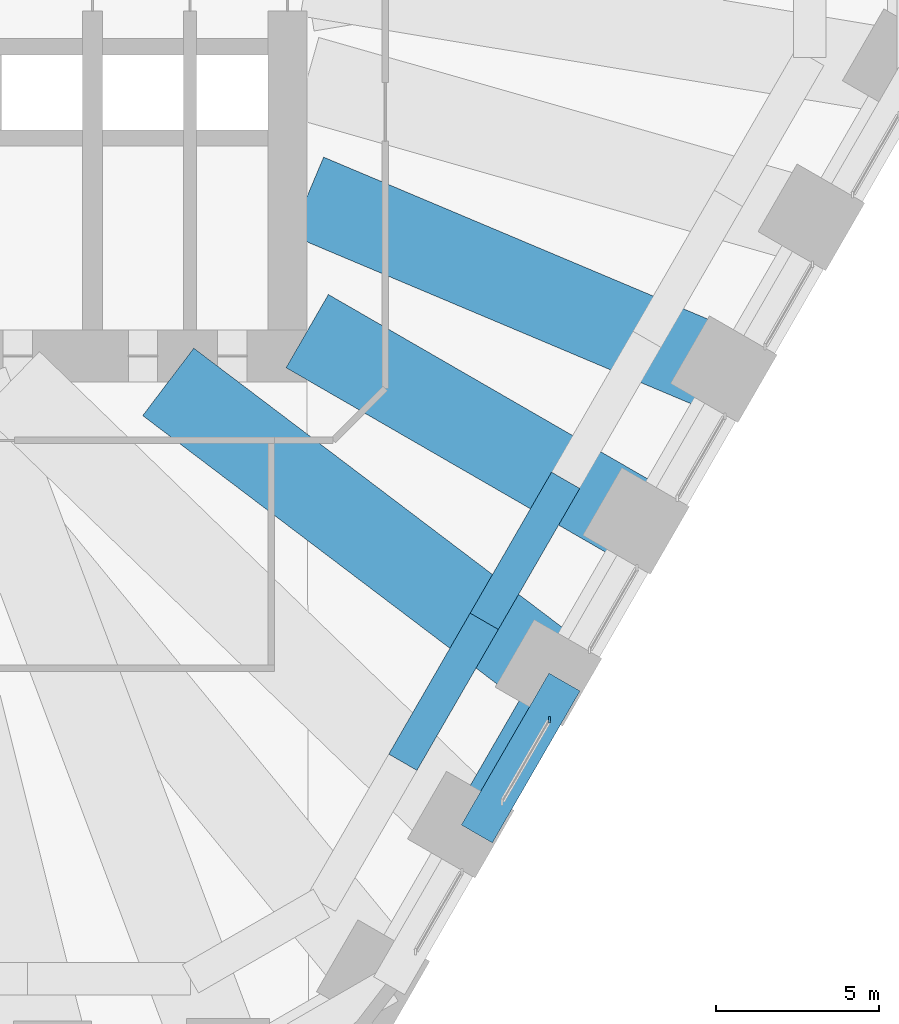
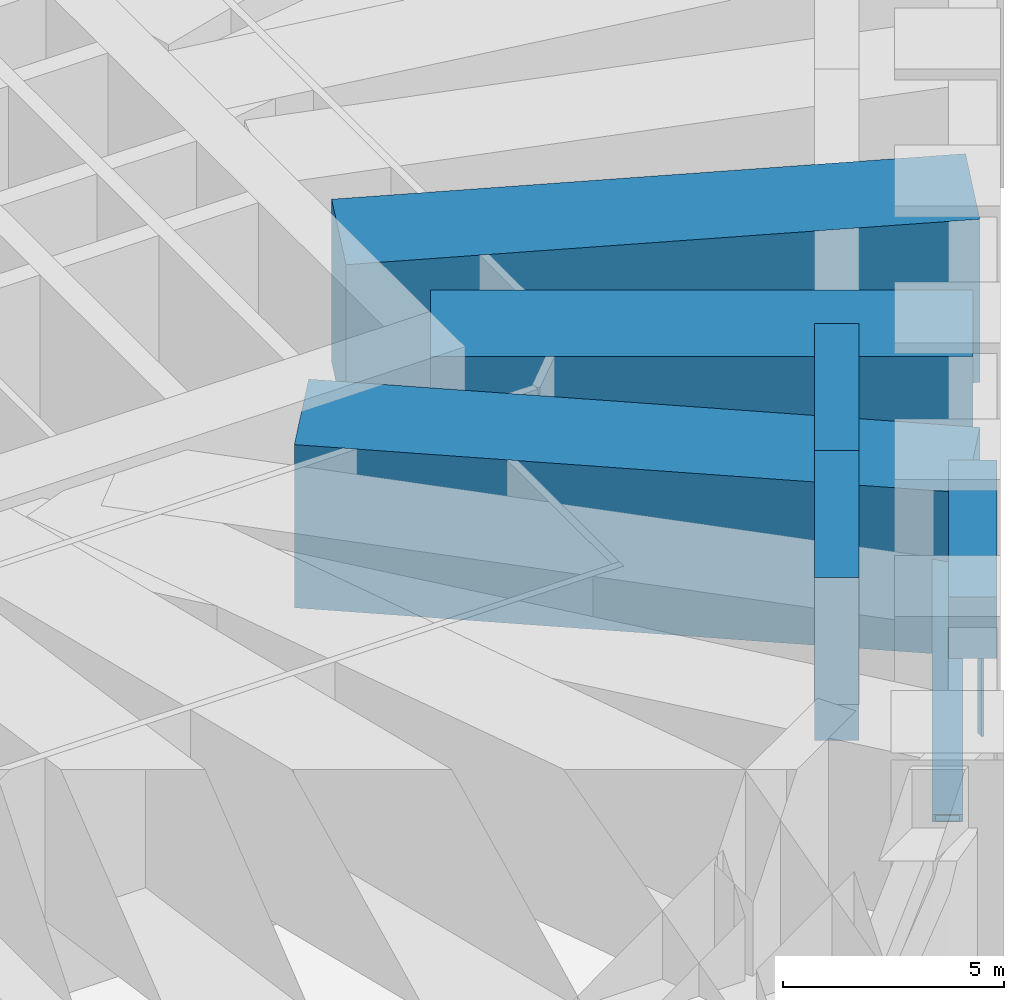
# One storey, part 5 of 17: 6 beams, 2 members, 1 element without a shape of its own.
"""IFC4 building model written with IfcOpenShell, lengths in metres."""

from ifc_helpers import new_model, si_unit, direction, frame, origin, origin_2d, place, context, subcontext, project, spatial, rectangle, hollow_rectangle, extrude, material, material_profile, profile_set, type_object, element, aggregate, save


model = new_model("IFC4")

# Units and contexts
model_context = context("Model", 3, precision=1e-05, world=origin(), true_north=direction((0.0, 1.0)))
body_context = subcontext(model_context, "Body", "Model", "MODEL_VIEW")
ifc_project = project(units=[si_unit("LENGTHUNIT", "METRE"), si_unit("AREAUNIT", "SQUARE_METRE"), si_unit("VOLUMEUNIT", "CUBIC_METRE"), si_unit("PLANEANGLEUNIT", "RADIAN"), si_unit("MASSUNIT", "GRAM", prefix="KILO")], contexts=[model_context])

# Site, building, storey
site_placement = place(None, origin())
site = spatial("IfcSite", under=ifc_project, at=site_placement, CompositionType="ELEMENT")
building_placement = place(site_placement, origin())
building = spatial("IfcBuilding", under=site, at=building_placement, Name="Tarfa Lantern Tower", CompositionType="ELEMENT")
storey_placement = place(building_placement, frame((0.0, 0.0, 107.5)))
storey = spatial("IfcBuildingStorey", under=building, at=storey_placement, Name="L24", CompositionType="ELEMENT", Elevation=107.5)

# Member
ifc_material_1 = material(Name="Steel S460M", Category="steel")
ifc_material_profile_1 = material_profile(ifc_material_1, hollow_rectangle(XDim=0.699951171875, YDim=0.699951171875, WallThickness=0.080078125, at=origin_2d()), Name="BOX700x700x80")
ifc_profile_set_1 = profile_set([ifc_material_profile_1], Name="Steel S460M")
member_type_1 = type_object("IfcMemberType", Name="BT1 BOX700x700x80", PredefinedType="BRACE", material=ifc_profile_set_1)
member_1_placement = place(storey_placement, frame((23.320068359375, -25.908447265625, 0.60009765625), z_axis=(0.373364035688, 0.646688432601, 0.66512658043), x_axis=(-0.866026392449, 0.499998287579, 0.0)))
element("IfcMember", 1, at=member_1_placement, inside=storey, type_object=member_type_1, Name="Belt truss diagonal 37", PredefinedType="BRACE", context=body_context, shape_type="SweptSolid", body=[
    extrude(hollow_rectangle(XDim=0.699951171875, YDim=0.699951171875, WallThickness=0.080078125, at=origin_2d()), origin(), (0.0, 0.0, 1.0), 7.21630859375),
])

# Curtain wall, member
ifc_material_2 = material(Name="Aluminium framed curtain wall", Category="aluminium")
curtain_wall_type = type_object("IfcCurtainWallType", Name="CW6 LOUVRED SCREEN WALL 5000", PredefinedType="USERDEFINED", material=ifc_material_2)
curtain_wall_placement = place(storey_placement, origin())
curtain_wall = element("IfcCurtainWall", 2, at=curtain_wall_placement, inside=storey, type_object=curtain_wall_type, Name="CW6 SE L24", ObjectType="CURTAIN WALL", PredefinedType="USERDEFINED")
ifc_material_3 = material(Name="Aluminium mullion", Category="aluminium")
ifc_material_profile_2 = material_profile(ifc_material_3, rectangle(XDim=0.06494140625, YDim=0.199951171875, at=origin_2d()), Name="AL MULLION 65x200")
ifc_profile_set_2 = profile_set([ifc_material_profile_2], Name="Aluminium mullion")
member_type_2 = type_object("IfcMemberType", Name="CWM1 MULLION 65x200", PredefinedType="MULLION", material=ifc_profile_set_2)
member_2_placement = place(storey_placement, frame((26.047607421875, -22.68408203125, 0.0), z_axis=(0.0, 0.0, 1.0), x_axis=(1.0, 0.0, 0.0)))
member_2 = element("IfcMember", 3, at=member_2_placement, type_object=member_type_2, Name="CW6 mullion 2", PredefinedType="MULLION", context=body_context, shape_type="SweptSolid", body=[
    extrude(rectangle(XDim=0.06494140625, YDim=0.199951171875, at=origin_2d()), origin(), (0.0, 0.0, 1.0), 5.0),
])
aggregate(curtain_wall, [member_2])

# Beams
ifc_material_4 = material(Name="Concrete C80/95", Category="concrete")
ifc_material_profile_3 = material_profile(ifc_material_4, rectangle(XDim=1.10009765625, YDim=1.699951171875, at=origin_2d()), Name="RC 1100x1700")
ifc_profile_set_3 = profile_set([ifc_material_profile_3], Name="Concrete C80/95")
beam_type_1 = type_object("IfcBeamType", Name="RB1 RC 1100x1700", PredefinedType="BEAM", material=ifc_profile_set_3)
beam_1_placement = place(storey_placement, frame((23.813720703125, -26.193359375, 5.85009765625), z_axis=(0.499998287579, 0.866026392449, 0.0), x_axis=(-0.866026392449, 0.499998287579, 0.0)))
element("IfcBeam", 4, at=beam_1_placement, inside=storey, type_object=beam_type_1, Name="Edge beam SE1", PredefinedType="BEAM", context=body_context, shape_type="SweptSolid", body=[
    extrude(rectangle(XDim=1.10009765625, YDim=1.699951171875, at=origin_2d()), origin(), (0.0, 0.0, 1.0), 5.388671875),
])
ifc_material_profile_4 = material_profile(ifc_material_4, rectangle(XDim=1.0, YDim=4.5, at=origin_2d()), Name="RC 1000x4500")
ifc_profile_set_4 = profile_set([ifc_material_profile_4], Name="Concrete C80/95")
beam_type_2 = type_object("IfcBeamType", Name="RG1 RC 1000x4500", PredefinedType="BEAM", material=ifc_profile_set_4)
beam_2_placement = place(storey_placement, frame((21.5400390625, -23.99169921875, 4.449951171875), z_axis=(0.49998573051, 0.866033642122, 0.0), x_axis=(-0.866033642122, 0.49998573051, 0.0)))
element("IfcBeam", 5, at=beam_2_placement, inside=storey, type_object=beam_type_2, Name="Ring girder SE1", PredefinedType="BEAM", context=body_context, shape_type="SweptSolid", body=[
    extrude(rectangle(XDim=1.0, YDim=4.5, at=origin_2d()), origin(), (0.0, 0.0, 1.0), 5.003662109375),
])
beam_3_placement = place(storey_placement, frame((24.041748046875, -19.658447265625, 4.449951171875), z_axis=(0.500001197378, 0.866024712477, 0.0), x_axis=(-0.866024712477, 0.500001197378, 0.0)))
element("IfcBeam", 6, at=beam_3_placement, inside=storey, type_object=beam_type_2, Name="Ring girder SE2", PredefinedType="BEAM", context=body_context, shape_type="SweptSolid", body=[
    extrude(rectangle(XDim=1.0, YDim=4.5, at=origin_2d()), origin(), (0.0, 0.0, 1.0), 5.00390625),
])
ifc_material_profile_5 = material_profile(ifc_material_4, rectangle(XDim=2.60009765625, YDim=4.5, at=origin_2d()), Name="RC 2600x4500")
ifc_profile_set_5 = profile_set([ifc_material_profile_5], Name="Concrete C80/95")
beam_type_3 = type_object("IfcBeamType", Name="TG1 RC 2600x4500", PredefinedType="BEAM", material=ifc_profile_set_5)
beam_4_placement = place(storey_placement, frame((26.508056640625, -21.526611328125, 4.449951171875), z_axis=(-0.797101237143, 0.603845690342, 0.0), x_axis=(-0.603845690342, -0.797101237143, 0.0)))
element("IfcBeam", 7, at=beam_4_placement, inside=storey, type_object=beam_type_3, Name="Transfer girder SE2", PredefinedType="BEAM", context=body_context, shape_type="SweptSolid", body=[
    extrude(rectangle(XDim=2.60009765625, YDim=4.5, at=origin_2d()), origin(), (0.0, 0.0, 1.0), 15.27978515625),
])
beam_5_placement = place(storey_placement, frame((29.202392578125, -16.860107421875, 4.449951171875), z_axis=(-0.866021864563, 0.500006130062, 0.0), x_axis=(-0.500006130062, -0.866021864563, 0.0)))
element("IfcBeam", 8, at=beam_5_placement, inside=storey, type_object=beam_type_3, Name="Transfer girder SE3", PredefinedType="BEAM", context=body_context, shape_type="SweptSolid", body=[
    extrude(rectangle(XDim=2.60009765625, YDim=4.5, at=origin_2d()), origin(), (0.0, 0.0, 1.0), 12.242431640625),
])
beam_6_placement = place(storey_placement, frame((31.896728515625, -12.193359375, 4.449951171875), z_axis=(-0.921494861776, 0.388390550503, 0.0), x_axis=(-0.388390550503, -0.921494861776, 0.0)))
element("IfcBeam", 9, at=beam_6_placement, inside=storey, type_object=beam_type_3, Name="Transfer girder SE4", PredefinedType="BEAM", context=body_context, shape_type="SweptSolid", body=[
    extrude(rectangle(XDim=2.60009765625, YDim=4.5, at=origin_2d()), origin(), (0.0, 0.0, 1.0), 14.429443359375),
])

save(model, "model.ifc")
